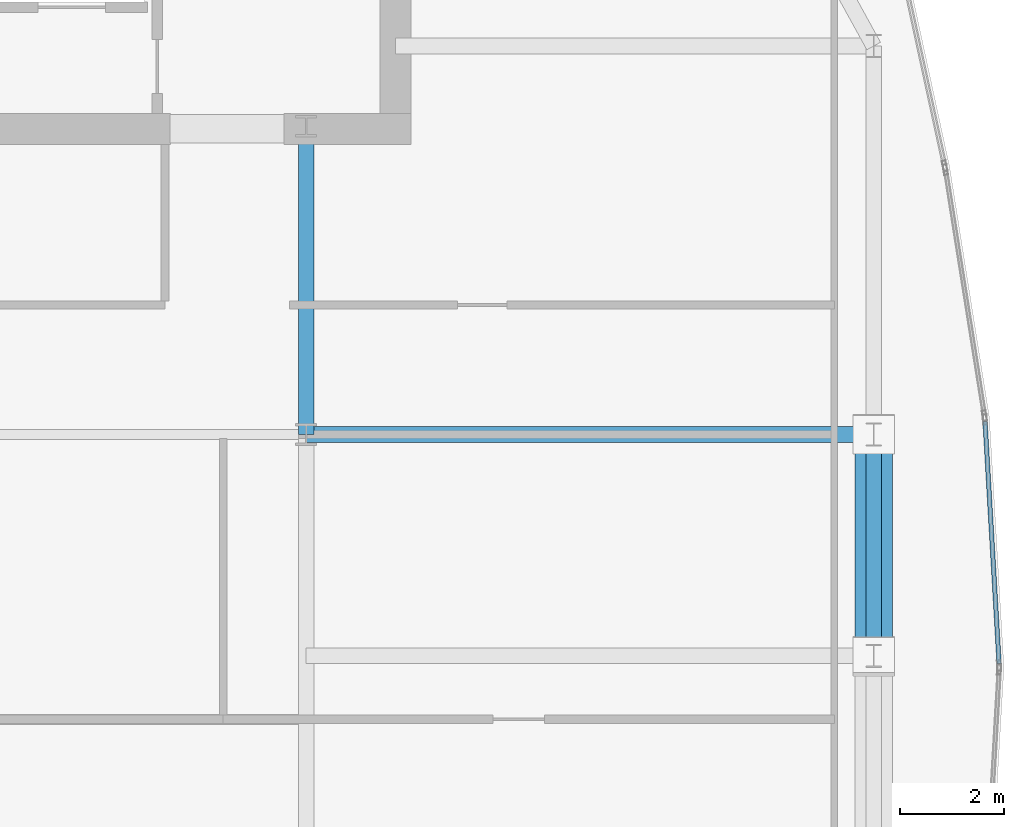
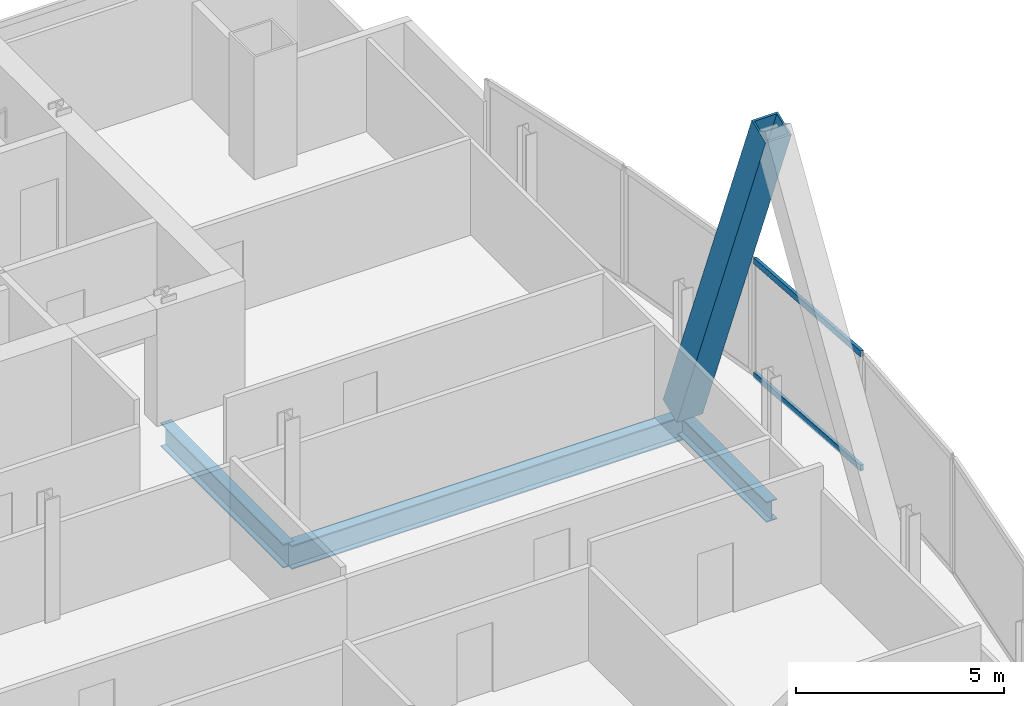
# One storey, part 20 of 33: 3 beams, 3 members, 1 element without a shape of its own.
"""IFC4 building model written with IfcOpenShell, lengths in metres."""

from ifc_helpers import new_model, si_unit, direction, frame, origin, origin_2d, place, context, subcontext, project, spatial, hollow_rectangle, i_section, extrude, material, material_profile, profile_set, type_object, element, aggregate, save


model = new_model("IFC4")

# Units and contexts
model_context = context("Model", 3, precision=1e-05, world=origin(), true_north=direction((0.0, 1.0)))
body_context = subcontext(model_context, "Body", "Model", "MODEL_VIEW")
ifc_project = project(units=[si_unit("LENGTHUNIT", "METRE"), si_unit("AREAUNIT", "SQUARE_METRE"), si_unit("VOLUMEUNIT", "CUBIC_METRE"), si_unit("PLANEANGLEUNIT", "RADIAN"), si_unit("MASSUNIT", "GRAM", prefix="KILO")], contexts=[model_context])

# Site, building, storey
site_placement = place(None, origin())
site = spatial("IfcSite", under=ifc_project, at=site_placement, CompositionType="ELEMENT")
building_placement = place(site_placement, origin())
building = spatial("IfcBuilding", under=site, at=building_placement, Name="Khoronbel Lancet Exchange", CompositionType="ELEMENT")
storey_placement = place(building_placement, frame((0.0, 0.0, 210.199951171875)))
storey = spatial("IfcBuildingStorey", under=building, at=storey_placement, Name="L53", CompositionType="ELEMENT", Elevation=210.199951171875)

# Beams
ifc_material_1 = material(Name="Steel S355", Category="steel")
ifc_material_profile_1 = material_profile(ifc_material_1, i_section(OverallWidth=0.300048828125, OverallDepth=0.699951171875, WebThickness=0.01708984375, FlangeThickness=0.031982421875, at=origin_2d()), Name="HEB 700")
ifc_profile_set_1 = profile_set([ifc_material_profile_1], Name="Steel S355")
beam_type_1 = type_object("IfcBeamType", Name="BM-BG3", PredefinedType="BEAM", material=ifc_profile_set_1)
beam_1_placement = place(storey_placement, frame((54.675048828125, 35.699951171875, -0.510009765625), z_axis=(0.0, 1.0, 0.0), x_axis=(-1.0, 0.0, 0.0)))
element("IfcBeam", 1, at=beam_1_placement, inside=storey, type_object=beam_type_1, Name="Level L53 spine tie girder GN6", PredefinedType="BEAM", context=body_context, shape_type="SweptSolid", body=[
    extrude(i_section(OverallWidth=0.300048828125, OverallDepth=0.699951171875, WebThickness=0.01708984375, FlangeThickness=0.031982421875, at=origin_2d()), origin(), (0.0, 0.0, 1.0), 5.900146484375),
])
beam_2_placement = place(storey_placement, frame((54.675048828125, 35.699951171875, -0.510009765625), z_axis=(1.0, 0.0, 0.0), x_axis=(0.0, 1.0, 0.0)))
element("IfcBeam", 2, at=beam_2_placement, inside=storey, type_object=beam_type_1, Name="Level L53 east lens tie girder LG4E", PredefinedType="BEAM", context=body_context, shape_type="SweptSolid", body=[
    extrude(i_section(OverallWidth=0.300048828125, OverallDepth=0.699951171875, WebThickness=0.01708984375, FlangeThickness=0.031982421875, at=origin_2d()), origin(), (0.0, 0.0, 1.0), 10.954833984375),
])
ifc_material_profile_2 = material_profile(ifc_material_1, i_section(OverallWidth=0.300048828125, OverallDepth=0.60009765625, WebThickness=0.015380859375, FlangeThickness=0.030029296875, at=origin_2d()), Name="HEB 600")
ifc_profile_set_2 = profile_set([ifc_material_profile_2], Name="Steel S355")
beam_type_2 = type_object("IfcBeamType", Name="BM-BSP2", PredefinedType="SPANDREL", material=ifc_profile_set_2)
beam_3_placement = place(storey_placement, frame((65.6298828125, 31.425048828125, -0.4599609375), z_axis=(0.0, 1.0, 0.0), x_axis=(-1.0, 0.0, 0.0)))
element("IfcBeam", 3, at=beam_3_placement, inside=storey, type_object=beam_type_2, Name="Level L53 perimeter spandrel beam SP13", PredefinedType="SPANDREL", context=body_context, shape_type="SweptSolid", body=[
    extrude(i_section(OverallWidth=0.300048828125, OverallDepth=0.60009765625, WebThickness=0.015380859375, FlangeThickness=0.030029296875, at=origin_2d()), origin(), (0.0, 0.0, 1.0), 4.27490234375),
])

# Curtain wall, members
ifc_material_2 = material(Name="Low-E Solar Control Insulating Glass", Category="glass")
curtain_wall_type = type_object("IfcCurtainWallType", Name="CW-4", PredefinedType="NOTDEFINED", material=ifc_material_2)
curtain_wall_placement = place(storey_placement, origin())
curtain_wall = element("IfcCurtainWall", 4, at=curtain_wall_placement, inside=storey, type_object=curtain_wall_type, Name="Unitised curtain wall CW-L53-E19", PredefinedType="NOTDEFINED")
ifc_material_3 = material(Name="Bronze-Anodised Aluminium 6063-T6", Category="aluminium")
ifc_material_profile_3 = material_profile(ifc_material_3, hollow_rectangle(XDim=0.0849609375, YDim=0.179931640625, WallThickness=0.0048828125, at=origin_2d()), Name="ALU TRANSOM 85x180")
ifc_profile_set_3 = profile_set([ifc_material_profile_3], Name="Bronze-Anodised Aluminium 6063-T6")
member_type_1 = type_object("IfcMemberType", Name="MEM-CWT1", PredefinedType="USERDEFINED", material=ifc_profile_set_3)
member_1_placement = place(storey_placement, frame((67.780029296875, 35.94873046875, 0.04248046875), z_axis=(0.058040312854, -0.998314240149, 0.0), x_axis=(0.998314240149, 0.058040312854, 0.0)))
member_1 = element("IfcMember", 5, at=member_1_placement, type_object=member_type_1, Name="CW4 transom 1.1", ObjectType="TRANSOM", PredefinedType="USERDEFINED", context=body_context, shape_type="SweptSolid", body=[
    extrude(hollow_rectangle(XDim=0.0849609375, YDim=0.179931640625, WallThickness=0.0048828125, at=origin_2d()), origin(), (0.0, 0.0, 1.0), 4.681640625),
])
member_2_placement = place(storey_placement, frame((67.780029296875, 35.94873046875, 3.3974609375), z_axis=(0.058040312854, -0.998314240149, 0.0), x_axis=(0.998314240149, 0.058040312854, 0.0)))
member_2 = element("IfcMember", 6, at=member_2_placement, type_object=member_type_1, Name="CW4 transom 1.2", ObjectType="TRANSOM", PredefinedType="USERDEFINED", context=body_context, shape_type="SweptSolid", body=[
    extrude(hollow_rectangle(XDim=0.0849609375, YDim=0.179931640625, WallThickness=0.0048828125, at=origin_2d()), origin(), (0.0, 0.0, 1.0), 4.681640625),
])
aggregate(curtain_wall, [member_1, member_2])

# Member
ifc_material_4 = material(Name="Steel S460", Category="steel")
ifc_material_profile_4 = material_profile(ifc_material_4, hollow_rectangle(XDim=0.719970703125, YDim=0.719970703125, WallThickness=0.050048828125, at=origin_2d()), Name="BOX 720x720x50")
ifc_profile_set_4 = profile_set([ifc_material_profile_4], Name="Steel S460")
member_type_2 = type_object("IfcMemberType", Name="MEM-MB2", PredefinedType="BRACE", material=ifc_profile_set_4)
member_3_placement = place(storey_placement, frame((65.6298828125, 35.699951171875, 0.0), z_axis=(0.0, -0.368039743753, 0.929810059646), x_axis=(1.0, 0.0, 0.0)))
element("IfcMember", 7, at=member_3_placement, inside=storey, type_object=member_type_2, Name="Perimeter lancet brace tier 18 E-P-R", PredefinedType="BRACE", context=body_context, shape_type="SweptSolid", body=[
    extrude(hollow_rectangle(XDim=0.719970703125, YDim=0.719970703125, WallThickness=0.050048828125, at=origin_2d()), origin(), (0.0, 0.0, 1.0), 11.615234375),
])

save(model, "model.ifc")
